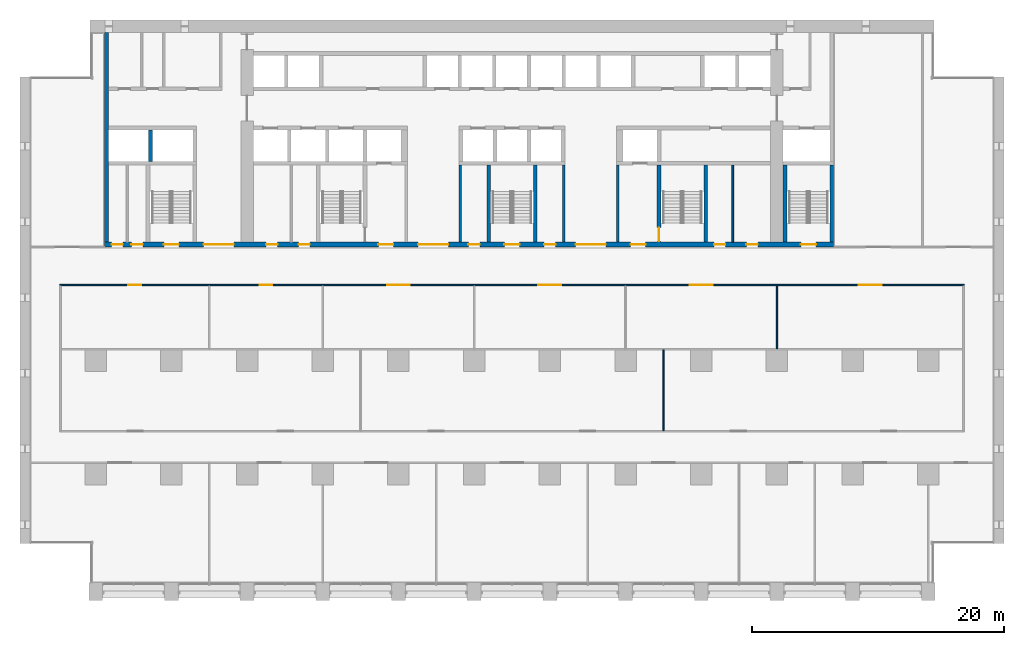
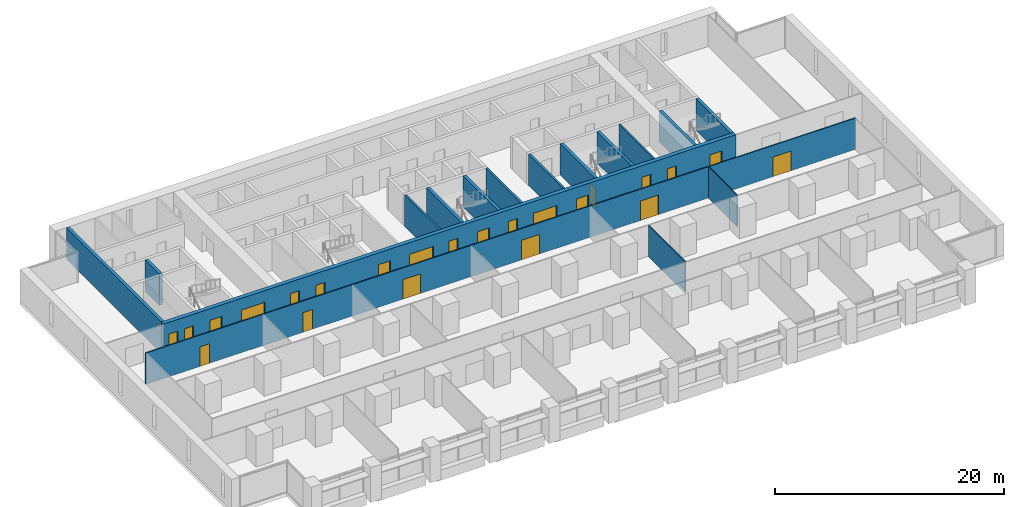
# One storey, part 10 of 18: 23 doors, 16 walls, 23 openings.
"""IFC4 building model written with IfcOpenShell, lengths in metres."""

from ifc_helpers import new_model, si_unit, direction, frame, frame_2d, origin, place, context, subcontext, project, spatial, rectangle, extrude, material, layer, layer_set, type_object, element, fill, save


model = new_model("IFC4")

# Units and contexts
model_context = context("Model", 3, precision=1e-05, world=origin(), true_north=direction((0.0, 1.0)))
body_context = subcontext(model_context, "Body", "Model", "MODEL_VIEW")
ifc_project = project(units=[si_unit("LENGTHUNIT", "METRE"), si_unit("AREAUNIT", "SQUARE_METRE"), si_unit("VOLUMEUNIT", "CUBIC_METRE"), si_unit("PLANEANGLEUNIT", "RADIAN"), si_unit("MASSUNIT", "GRAM", prefix="KILO")], contexts=[model_context])

# Site, building, storey
site_placement = place(None, origin())
site = spatial("IfcSite", under=ifc_project, at=site_placement, CompositionType="ELEMENT")
building_placement = place(site_placement, origin())
building = spatial("IfcBuilding", under=site, at=building_placement, Name="Calvaro Tower", CompositionType="ELEMENT")
storey_placement = place(building_placement, frame((0.0, 0.0, 48.75)))
storey = spatial("IfcBuildingStorey", under=building, at=storey_placement, Name="L11", CompositionType="ELEMENT", Elevation=48.75)

# Walls
ifc_material_1 = material(Name="Blockwork partition", Category="masonry")
ifc_layer_1 = layer(ifc_material_1, 0.14990234375)
ifc_layer_set_1 = layer_set([ifc_layer_1], Name="Blockwork partition")
wall_type_1 = type_object("IfcWallType", Name="Core partition 150 EI 60", PredefinedType="PARTITIONING", material=ifc_layer_set_1)
wall_1_placement = place(storey_placement, frame((56.5, 28.39990234375, 0.0), z_axis=(0.0, 0.0, 1.0), x_axis=(0.0, 1.0, 0.0)))
element("IfcWall", 1, at=wall_1_placement, inside=storey, type_object=wall_type_1, Name="Core partition", PredefinedType="PARTITIONING", context=body_context, shape_type="SweptSolid", body=[
    extrude(rectangle(XDim=6.10009765625, YDim=0.14990234375, at=frame_2d((3.050048828125, 0.0))), origin(), (0.0, 0.0, 1.0), 3.35009765625),
])
ifc_material_2 = material(Name="Blockwork partition", Category="masonry")
ifc_layer_2 = layer(ifc_material_2, 0.199951171875)
ifc_layer_set_2 = layer_set([ifc_layer_2], Name="Blockwork partition")
wall_type_2 = type_object("IfcWallType", Name="Core partition 200 REI 120", PredefinedType="PARTITIONING", material=ifc_layer_set_2)
for number, where, z_axis, x_axis, name in (
    (2, (34.89990234375, 28.39990234375, 0.0), (0.0, 0.0, 1.0), (0.0, 1.0, 0.0), "Core partition"),
    (3, (43.10009765625, 28.39990234375, 0.0), (0.0, 0.0, 1.0), (0.0, 1.0, 0.0), "Core partition"),
    (4, (47.39990234375, 28.39990234375, 0.0), (0.0, 0.0, 1.0), (0.0, 1.0, 0.0), "Core partition"),
):
    element("IfcWall", number, at=place(storey_placement, frame(where, z_axis=z_axis, x_axis=x_axis)), inside=storey, type_object=wall_type_2, Name=name, PredefinedType="PARTITIONING", context=body_context, shape_type="SweptSolid", body=[
        extrude(rectangle(XDim=6.10009765625, YDim=0.199951171875, at=frame_2d((3.050048828125, 0.0))), origin(), (0.0, 0.0, 1.0), 3.35009765625),
    ])
ifc_material_3 = material(Name="Concrete C80/95", Category="concrete")
ifc_layer_3 = layer(ifc_material_3, 0.300048828125)
ifc_layer_set_3 = layer_set([ifc_layer_3], Name="Concrete C80/95")
wall_type_3 = type_object("IfcWallType", Name="Core wall C80/95 300", PredefinedType="SHEAR", material=ifc_layer_set_3)
wall_2_placement = place(storey_placement, frame((6.85009765625, 28.39990234375, 0.0), z_axis=(0.0, 0.0, 1.0), x_axis=(0.0, 1.0, 0.0)))
element("IfcWall", 5, at=wall_2_placement, inside=storey, type_object=wall_type_3, Name="Core wall, boundary", PredefinedType="SHEAR", context=body_context, shape_type="SweptSolid", body=[
    extrude(rectangle(XDim=16.60009765625, YDim=0.300048828125, at=frame_2d((8.300048828125, 0.0))), origin(), (0.0, 0.0, 1.0), 3.35009765625),
])
for number, where, z_axis, x_axis, name in (
    (6, (37.14990234375, 28.39990234375, 0.0), (0.0, 0.0, 1.0), (0.0, 1.0, 0.0), "Core wall, stair enclosure"),
    (7, (40.85009765625, 28.39990234375, 0.0), (0.0, 0.0, 1.0), (0.0, 1.0, 0.0), "Core wall, stair enclosure"),
):
    element("IfcWall", number, at=place(storey_placement, frame(where, z_axis=z_axis, x_axis=x_axis)), inside=storey, type_object=wall_type_3, Name=name, PredefinedType="SHEAR", context=body_context, shape_type="SweptSolid", body=[
        extrude(rectangle(XDim=6.10009765625, YDim=0.300048828125, at=frame_2d((3.050048828125, 0.0))), origin(), (0.0, 0.0, 1.0), 3.35009765625),
    ])

# Wall, opening, door
wall_3_placement = place(storey_placement, frame((50.64990234375, 34.5, 0.0), z_axis=(0.0, 0.0, 1.0), x_axis=(0.0, -1.0, 0.0)))
wall_3 = element("IfcWall", 8, at=wall_3_placement, inside=storey, type_object=wall_type_3, Name="Core wall, stair enclosure", PredefinedType="SHEAR", context=body_context, shape_type="SweptSolid", body=[
    extrude(rectangle(XDim=6.10009765625, YDim=0.300048828125, at=frame_2d((3.050048828125, 0.0))), origin(), (0.0, 0.0, 1.0), 3.35009765625),
])
opening_1_placement = place(wall_3_placement, frame((4.949951171875, 0.0, 0.0)))
opening_1 = element("IfcOpeningElement", 9, at=opening_1_placement, cuts=wall_3, Name="Opening FD11D", PredefinedType="OPENING", context=body_context, shape_type="SweptSolid", body=[
    extrude(rectangle(XDim=1.10009765625, YDim=2.10009765625, at=frame_2d((0.550048828125, 1.050048828125))), frame((0.0, 0.159912109375, 0.0), z_axis=(0.0, -1.0, 0.0), x_axis=(1.0, 0.0, 0.0)), (0.0, 0.0, 1.0), 0.320068359375),
])
ifc_material_4 = material(Name="Steel door set", Category="steel")
door_type_1 = type_object("IfcDoorType", Name="Fire door 1100 FD30S", OperationType="SINGLE_SWING_LEFT", PredefinedType="DOOR", material=ifc_material_4)
door_1_placement = place(opening_1_placement, origin())
door_1 = element("IfcDoor", 10, at=door_1_placement, inside=storey, type_object=door_type_1, Name="Fire door", OperationType="SINGLE_SWING_RIGHT", OverallHeight=2.10009765625, OverallWidth=1.10009765625, PredefinedType="DOOR", context=body_context, shape_type="SweptSolid", body=[
    extrude(rectangle(XDim=1.10009765625, YDim=2.10009765625, at=frame_2d((0.550048828125, 1.050048828125))), frame((0.0, 0.02490234375, 0.0), z_axis=(0.0, -1.0, 0.0), x_axis=(1.0, 0.0, 0.0)), (0.0, 0.0, 1.0), 0.050048828125),
])
fill(opening_1, door_1)

# Walls
for number, where, z_axis, x_axis, name in (
    (11, (54.35009765625, 28.39990234375, 0.0), (0.0, 0.0, 1.0), (0.0, 1.0, 0.0), "Core wall, stair enclosure"),
    (12, (60.64990234375, 28.39990234375, 0.0), (0.0, 0.0, 1.0), (0.0, 1.0, 0.0), "Core wall, stair enclosure"),
    (13, (64.35009765625, 28.39990234375, 0.0), (0.0, 0.0, 1.0), (0.0, 1.0, 0.0), "Core wall, stair enclosure"),
):
    element("IfcWall", number, at=place(storey_placement, frame(where, z_axis=z_axis, x_axis=x_axis)), inside=storey, type_object=wall_type_3, Name=name, PredefinedType="SHEAR", context=body_context, shape_type="SweptSolid", body=[
        extrude(rectangle(XDim=6.10009765625, YDim=0.300048828125, at=frame_2d((3.050048828125, 0.0))), origin(), (0.0, 0.0, 1.0), 3.35009765625),
    ])
wall_4_placement = place(storey_placement, frame((10.35009765625, 34.800048828125, 0.0), z_axis=(0.0, 0.0, 1.0), x_axis=(0.0, 1.0, 0.0)))
element("IfcWall", 14, at=wall_4_placement, inside=storey, type_object=wall_type_3, Name="Core wall, lift shaft", PredefinedType="SHEAR", context=body_context, shape_type="SweptSolid", body=[
    extrude(rectangle(XDim=2.5, YDim=0.300048828125, at=frame_2d((1.25, 0.0))), origin(), (0.0, 0.0, 1.0), 3.35009765625),
])

# Wall, openings, doors
ifc_material_5 = material(Name="Concrete C80/95", Category="concrete")
ifc_layer_4 = layer(ifc_material_5, 0.39990234375)
ifc_layer_set_4 = layer_set([ifc_layer_4], Name="Concrete C80/95")
wall_type_4 = type_object("IfcWallType", Name="Core wall C80/95 400", PredefinedType="SHEAR", material=ifc_layer_set_4)
wall_5_placement = place(storey_placement, frame((6.699951171875, 28.199951171875, 0.0), z_axis=(0.0, 0.0, 1.0), x_axis=(1.0, 0.0, 0.0)))
wall_5 = element("IfcWall", 15, at=wall_5_placement, inside=storey, type_object=wall_type_4, Name="Core wall, front", PredefinedType="SHEAR", context=body_context, shape_type="SweptSolid", body=[
    extrude(rectangle(XDim=57.800048828125, YDim=0.39990234375, at=frame_2d((28.89990234375, 0.0))), origin(), (0.0, 0.0, 1.0), 3.35009765625),
])
opening_2_placement = place(wall_5_placement, frame((12.8125, 0.0, 0.0)))
opening_2 = element("IfcOpeningElement", 16, at=opening_2_placement, cuts=wall_5, Name="Opening RD9E", PredefinedType="OPENING", context=body_context, shape_type="SweptSolid", body=[
    extrude(rectangle(XDim=0.89990234375, YDim=2.10009765625, at=frame_2d((0.449951171875, 1.050048828125))), frame((0.0, 0.2099609375, 0.0), z_axis=(0.0, -1.0, 0.0), x_axis=(1.0, 0.0, 0.0)), (0.0, 0.0, 1.0), 0.419921875),
])
opening_3_placement = place(wall_5_placement, frame((15.387451171875, 0.0, 0.0)))
opening_3 = element("IfcOpeningElement", 17, at=opening_3_placement, cuts=wall_5, Name="Opening RD9E", PredefinedType="OPENING", context=body_context, shape_type="SweptSolid", body=[
    extrude(rectangle(XDim=0.89990234375, YDim=2.10009765625, at=frame_2d((0.449951171875, 1.050048828125))), frame((0.0, 0.2099609375, 0.0), z_axis=(0.0, -1.0, 0.0), x_axis=(1.0, 0.0, 0.0)), (0.0, 0.0, 1.0), 0.419921875),
])
opening_4_placement = place(wall_5_placement, frame((48.3125, 0.0, 0.0)))
opening_4 = element("IfcOpeningElement", 18, at=opening_4_placement, cuts=wall_5, Name="Opening RD9E", PredefinedType="OPENING", context=body_context, shape_type="SweptSolid", body=[
    extrude(rectangle(XDim=0.89990234375, YDim=2.10009765625, at=frame_2d((0.449951171875, 1.050048828125))), frame((0.0, 0.2099609375, 0.0), z_axis=(0.0, -1.0, 0.0), x_axis=(1.0, 0.0, 0.0)), (0.0, 0.0, 1.0), 0.419921875),
])
opening_5_placement = place(wall_5_placement, frame((50.887451171875, 0.0, 0.0)))
opening_5 = element("IfcOpeningElement", 19, at=opening_5_placement, cuts=wall_5, Name="Opening RD9E", PredefinedType="OPENING", context=body_context, shape_type="SweptSolid", body=[
    extrude(rectangle(XDim=0.89990234375, YDim=2.10009765625, at=frame_2d((0.449951171875, 1.050048828125))), frame((0.0, 0.2099609375, 0.0), z_axis=(0.0, -1.0, 0.0), x_axis=(1.0, 0.0, 0.0)), (0.0, 0.0, 1.0), 0.419921875),
])
opening_6_placement = place(wall_5_placement, frame((0.5625, 0.0, 0.0)))
opening_6 = element("IfcOpeningElement", 20, at=opening_6_placement, cuts=wall_5, Name="Opening RD9E", PredefinedType="OPENING", context=body_context, shape_type="SweptSolid", body=[
    extrude(rectangle(XDim=0.89990234375, YDim=2.10009765625, at=frame_2d((0.449951171875, 1.050048828125))), frame((0.0, 0.2099609375, 0.0), z_axis=(0.0, -1.0, 0.0), x_axis=(1.0, 0.0, 0.0)), (0.0, 0.0, 1.0), 0.419921875),
])
opening_7_placement = place(wall_5_placement, frame((2.137451171875, 0.0, 0.0)))
opening_7 = element("IfcOpeningElement", 21, at=opening_7_placement, cuts=wall_5, Name="Opening RD9C", PredefinedType="OPENING", context=body_context, shape_type="SweptSolid", body=[
    extrude(rectangle(XDim=0.89990234375, YDim=2.10009765625, at=frame_2d((0.449951171875, 1.050048828125))), frame((0.0, 0.2099609375, 0.0), z_axis=(0.0, -1.0, 0.0), x_axis=(1.0, 0.0, 0.0)), (0.0, 0.0, 1.0), 0.419921875),
])
opening_8_placement = place(wall_5_placement, frame((4.699951171875, 0.0, 0.0)))
opening_8 = element("IfcOpeningElement", 22, at=opening_8_placement, cuts=wall_5, Name="Opening SD12D", PredefinedType="OPENING", context=body_context, shape_type="SweptSolid", body=[
    extrude(rectangle(XDim=1.199951171875, YDim=2.10009765625, at=frame_2d((0.60009765625, 1.050048828125))), frame((0.0, 0.2099609375, 0.0), z_axis=(0.0, -1.0, 0.0), x_axis=(1.0, 0.0, 0.0)), (0.0, 0.0, 1.0), 0.419921875),
])
opening_9_placement = place(wall_5_placement, frame((31.699951171875, 0.0, 0.0)))
opening_9 = element("IfcOpeningElement", 23, at=opening_9_placement, cuts=wall_5, Name="Opening SD12D", PredefinedType="OPENING", context=body_context, shape_type="SweptSolid", body=[
    extrude(rectangle(XDim=1.199951171875, YDim=2.10009765625, at=frame_2d((0.60009765625, 1.050048828125))), frame((0.0, 0.2099609375, 0.0), z_axis=(0.0, -1.0, 0.0), x_axis=(1.0, 0.0, 0.0)), (0.0, 0.0, 1.0), 0.419921875),
])
opening_10_placement = place(wall_5_placement, frame((55.199951171875, 0.0, 0.0)))
opening_10 = element("IfcOpeningElement", 24, at=opening_10_placement, cuts=wall_5, Name="Opening SD12D", PredefinedType="OPENING", context=body_context, shape_type="SweptSolid", body=[
    extrude(rectangle(XDim=1.199951171875, YDim=2.10009765625, at=frame_2d((0.60009765625, 1.050048828125))), frame((0.0, 0.2099609375, 0.0), z_axis=(0.0, -1.0, 0.0), x_axis=(1.0, 0.0, 0.0)), (0.0, 0.0, 1.0), 0.419921875),
])
opening_11_placement = place(wall_5_placement, frame((21.699951171875, 0.0, 0.0)))
opening_11 = element("IfcOpeningElement", 25, at=opening_11_placement, cuts=wall_5, Name="Opening FD12F", PredefinedType="OPENING", context=body_context, shape_type="SweptSolid", body=[
    extrude(rectangle(XDim=1.199951171875, YDim=2.10009765625, at=frame_2d((0.60009765625, 1.050048828125))), frame((0.0, 0.2099609375, 0.0), z_axis=(0.0, -1.0, 0.0), x_axis=(1.0, 0.0, 0.0)), (0.0, 0.0, 1.0), 0.419921875),
])
opening_12_placement = place(wall_5_placement, frame((41.699951171875, 0.0, 0.0)))
opening_12 = element("IfcOpeningElement", 26, at=opening_12_placement, cuts=wall_5, Name="Opening FD12F", PredefinedType="OPENING", context=body_context, shape_type="SweptSolid", body=[
    extrude(rectangle(XDim=1.199951171875, YDim=2.10009765625, at=frame_2d((0.60009765625, 1.050048828125))), frame((0.0, 0.2099609375, 0.0), z_axis=(0.0, -1.0, 0.0), x_axis=(1.0, 0.0, 0.0)), (0.0, 0.0, 1.0), 0.419921875),
])
opening_13_placement = place(wall_5_placement, frame((24.85009765625, 0.0, 0.0)))
opening_13 = element("IfcOpeningElement", 27, at=opening_13_placement, cuts=wall_5, Name="Opening DD24D", PredefinedType="OPENING", context=body_context, shape_type="SweptSolid", body=[
    extrude(rectangle(XDim=2.39990234375, YDim=2.10009765625, at=frame_2d((1.199951171875, 1.050048828125))), frame((0.0, 0.2099609375, 0.0), z_axis=(0.0, -1.0, 0.0), x_axis=(1.0, 0.0, 0.0)), (0.0, 0.0, 1.0), 0.419921875),
])
opening_14_placement = place(wall_5_placement, frame((37.35009765625, 0.0, 0.0)))
opening_14 = element("IfcOpeningElement", 28, at=opening_14_placement, cuts=wall_5, Name="Opening DD24D", PredefinedType="OPENING", context=body_context, shape_type="SweptSolid", body=[
    extrude(rectangle(XDim=2.39990234375, YDim=2.10009765625, at=frame_2d((1.199951171875, 1.050048828125))), frame((0.0, 0.2099609375, 0.0), z_axis=(0.0, -1.0, 0.0), x_axis=(1.0, 0.0, 0.0)), (0.0, 0.0, 1.0), 0.419921875),
])
opening_15_placement = place(wall_5_placement, frame((7.85009765625, 0.0, 0.0)))
opening_15 = element("IfcOpeningElement", 29, at=opening_15_placement, cuts=wall_5, Name="Opening DD24D", PredefinedType="OPENING", context=body_context, shape_type="SweptSolid", body=[
    extrude(rectangle(XDim=2.39990234375, YDim=2.10009765625, at=frame_2d((1.199951171875, 1.050048828125))), frame((0.0, 0.2099609375, 0.0), z_axis=(0.0, -1.0, 0.0), x_axis=(1.0, 0.0, 0.0)), (0.0, 0.0, 1.0), 0.419921875),
])
opening_16_placement = place(wall_5_placement, frame((28.85009765625, 0.0, 0.0)))
opening_16 = element("IfcOpeningElement", 30, at=opening_16_placement, cuts=wall_5, Name="Opening RD9E", PredefinedType="OPENING", context=body_context, shape_type="SweptSolid", body=[
    extrude(rectangle(XDim=0.89990234375, YDim=2.10009765625, at=frame_2d((0.449951171875, 1.050048828125))), frame((0.0, 0.2099609375, 0.0), z_axis=(0.0, -1.0, 0.0), x_axis=(1.0, 0.0, 0.0)), (0.0, 0.0, 1.0), 0.419921875),
])
opening_17_placement = place(wall_5_placement, frame((34.85009765625, 0.0, 0.0)))
opening_17 = element("IfcOpeningElement", 31, at=opening_17_placement, cuts=wall_5, Name="Opening RD9E", PredefinedType="OPENING", context=body_context, shape_type="SweptSolid", body=[
    extrude(rectangle(XDim=0.89990234375, YDim=2.10009765625, at=frame_2d((0.449951171875, 1.050048828125))), frame((0.0, 0.2099609375, 0.0), z_axis=(0.0, -1.0, 0.0), x_axis=(1.0, 0.0, 0.0)), (0.0, 0.0, 1.0), 0.419921875),
])
ifc_material_6 = material(Name="Steel door set", Category="steel")
door_type_2 = type_object("IfcDoorType", Name="Fire door 1200 FD60S", OperationType="SINGLE_SWING_LEFT", PredefinedType="DOOR", material=ifc_material_6)
door_2_placement = place(opening_11_placement, origin())
door_2 = element("IfcDoor", 32, at=door_2_placement, inside=storey, type_object=door_type_2, Name="Fire door", OperationType="SINGLE_SWING_LEFT", OverallHeight=2.10009765625, OverallWidth=1.199951171875, PredefinedType="DOOR", context=body_context, shape_type="SweptSolid", body=[
    extrude(rectangle(XDim=1.199951171875, YDim=2.10009765625, at=frame_2d((0.60009765625, 1.050048828125))), frame((0.0, 0.02490234375, 0.0), z_axis=(0.0, -1.0, 0.0), x_axis=(1.0, 0.0, 0.0)), (0.0, 0.0, 1.0), 0.050048828125),
])
fill(opening_11, door_2)
door_3_placement = place(opening_12_placement, origin())
door_3 = element("IfcDoor", 33, at=door_3_placement, inside=storey, type_object=door_type_2, Name="Fire door", OperationType="SINGLE_SWING_LEFT", OverallHeight=2.10009765625, OverallWidth=1.199951171875, PredefinedType="DOOR", context=body_context, shape_type="SweptSolid", body=[
    extrude(rectangle(XDim=1.199951171875, YDim=2.10009765625, at=frame_2d((0.60009765625, 1.050048828125))), frame((0.0, 0.02490234375, 0.0), z_axis=(0.0, -1.0, 0.0), x_axis=(1.0, 0.0, 0.0)), (0.0, 0.0, 1.0), 0.050048828125),
])
fill(opening_12, door_3)
ifc_material_7 = material(Name="Steel door set", Category="steel")
door_type_3 = type_object("IfcDoorType", Name="Lobby double door 2400 FD30S", OperationType="DOUBLE_DOOR_SINGLE_SWING", PredefinedType="DOOR", material=ifc_material_7)
door_4_placement = place(opening_13_placement, origin())
door_4 = element("IfcDoor", 34, at=door_4_placement, inside=storey, type_object=door_type_3, Name="Lobby double door", OperationType="DOUBLE_DOOR_SINGLE_SWING", OverallHeight=2.10009765625, OverallWidth=2.39990234375, PredefinedType="DOOR", context=body_context, shape_type="SweptSolid", body=[
    extrude(rectangle(XDim=2.39990234375, YDim=2.10009765625, at=frame_2d((1.199951171875, 1.050048828125))), frame((0.0, 0.02490234375, 0.0), z_axis=(0.0, -1.0, 0.0), x_axis=(1.0, 0.0, 0.0)), (0.0, 0.0, 1.0), 0.050048828125),
])
fill(opening_13, door_4)
door_5_placement = place(opening_14_placement, origin())
door_5 = element("IfcDoor", 35, at=door_5_placement, inside=storey, type_object=door_type_3, Name="Lobby double door", OperationType="DOUBLE_DOOR_SINGLE_SWING", OverallHeight=2.10009765625, OverallWidth=2.39990234375, PredefinedType="DOOR", context=body_context, shape_type="SweptSolid", body=[
    extrude(rectangle(XDim=2.39990234375, YDim=2.10009765625, at=frame_2d((1.199951171875, 1.050048828125))), frame((0.0, 0.02490234375, 0.0), z_axis=(0.0, -1.0, 0.0), x_axis=(1.0, 0.0, 0.0)), (0.0, 0.0, 1.0), 0.050048828125),
])
fill(opening_14, door_5)
door_6_placement = place(opening_15_placement, origin())
door_6 = element("IfcDoor", 36, at=door_6_placement, inside=storey, type_object=door_type_3, Name="Lobby double door", OperationType="DOUBLE_DOOR_SINGLE_SWING", OverallHeight=2.10009765625, OverallWidth=2.39990234375, PredefinedType="DOOR", context=body_context, shape_type="SweptSolid", body=[
    extrude(rectangle(XDim=2.39990234375, YDim=2.10009765625, at=frame_2d((1.199951171875, 1.050048828125))), frame((0.0, 0.02490234375, 0.0), z_axis=(0.0, -1.0, 0.0), x_axis=(1.0, 0.0, 0.0)), (0.0, 0.0, 1.0), 0.050048828125),
])
fill(opening_15, door_6)
ifc_material_8 = material(Name="Steel door set", Category="steel")
door_type_4 = type_object("IfcDoorType", Name="Room door 900 FD30", OperationType="SINGLE_SWING_LEFT", PredefinedType="DOOR", material=ifc_material_8)
door_7_placement = place(opening_7_placement, origin())
door_7 = element("IfcDoor", 37, at=door_7_placement, inside=storey, type_object=door_type_4, Name="Room door", OperationType="SINGLE_SWING_LEFT", OverallHeight=2.10009765625, OverallWidth=0.89990234375, PredefinedType="DOOR", context=body_context, shape_type="SweptSolid", body=[
    extrude(rectangle(XDim=0.89990234375, YDim=2.10009765625, at=frame_2d((0.449951171875, 1.050048828125))), frame((0.0, 0.02490234375, 0.0), z_axis=(0.0, -1.0, 0.0), x_axis=(1.0, 0.0, 0.0)), (0.0, 0.0, 1.0), 0.050048828125),
])
fill(opening_7, door_7)
ifc_material_9 = material(Name="Steel door set", Category="steel")
door_type_5 = type_object("IfcDoorType", Name="Room door 900 FD60", OperationType="SINGLE_SWING_LEFT", PredefinedType="DOOR", material=ifc_material_9)
door_8_placement = place(opening_2_placement, origin())
door_8 = element("IfcDoor", 38, at=door_8_placement, inside=storey, type_object=door_type_5, Name="Room door", OperationType="SINGLE_SWING_LEFT", OverallHeight=2.10009765625, OverallWidth=0.89990234375, PredefinedType="DOOR", context=body_context, shape_type="SweptSolid", body=[
    extrude(rectangle(XDim=0.89990234375, YDim=2.10009765625, at=frame_2d((0.449951171875, 1.050048828125))), frame((0.0, 0.02490234375, 0.0), z_axis=(0.0, -1.0, 0.0), x_axis=(1.0, 0.0, 0.0)), (0.0, 0.0, 1.0), 0.050048828125),
])
fill(opening_2, door_8)
door_9_placement = place(opening_3_placement, origin())
door_9 = element("IfcDoor", 39, at=door_9_placement, inside=storey, type_object=door_type_5, Name="Room door", OperationType="SINGLE_SWING_RIGHT", OverallHeight=2.10009765625, OverallWidth=0.89990234375, PredefinedType="DOOR", context=body_context, shape_type="SweptSolid", body=[
    extrude(rectangle(XDim=0.89990234375, YDim=2.10009765625, at=frame_2d((0.449951171875, 1.050048828125))), frame((0.0, 0.02490234375, 0.0), z_axis=(0.0, -1.0, 0.0), x_axis=(1.0, 0.0, 0.0)), (0.0, 0.0, 1.0), 0.050048828125),
])
fill(opening_3, door_9)
door_10_placement = place(opening_4_placement, origin())
door_10 = element("IfcDoor", 40, at=door_10_placement, inside=storey, type_object=door_type_5, Name="Room door", OperationType="SINGLE_SWING_LEFT", OverallHeight=2.10009765625, OverallWidth=0.89990234375, PredefinedType="DOOR", context=body_context, shape_type="SweptSolid", body=[
    extrude(rectangle(XDim=0.89990234375, YDim=2.10009765625, at=frame_2d((0.449951171875, 1.050048828125))), frame((0.0, 0.02490234375, 0.0), z_axis=(0.0, -1.0, 0.0), x_axis=(1.0, 0.0, 0.0)), (0.0, 0.0, 1.0), 0.050048828125),
])
fill(opening_4, door_10)
door_11_placement = place(opening_5_placement, origin())
door_11 = element("IfcDoor", 41, at=door_11_placement, inside=storey, type_object=door_type_5, Name="Room door", OperationType="SINGLE_SWING_LEFT", OverallHeight=2.10009765625, OverallWidth=0.89990234375, PredefinedType="DOOR", context=body_context, shape_type="SweptSolid", body=[
    extrude(rectangle(XDim=0.89990234375, YDim=2.10009765625, at=frame_2d((0.449951171875, 1.050048828125))), frame((0.0, 0.02490234375, 0.0), z_axis=(0.0, -1.0, 0.0), x_axis=(1.0, 0.0, 0.0)), (0.0, 0.0, 1.0), 0.050048828125),
])
fill(opening_5, door_11)
door_12_placement = place(opening_6_placement, origin())
door_12 = element("IfcDoor", 42, at=door_12_placement, inside=storey, type_object=door_type_5, Name="Room door", OperationType="SINGLE_SWING_LEFT", OverallHeight=2.10009765625, OverallWidth=0.89990234375, PredefinedType="DOOR", context=body_context, shape_type="SweptSolid", body=[
    extrude(rectangle(XDim=0.89990234375, YDim=2.10009765625, at=frame_2d((0.449951171875, 1.050048828125))), frame((0.0, 0.02490234375, 0.0), z_axis=(0.0, -1.0, 0.0), x_axis=(1.0, 0.0, 0.0)), (0.0, 0.0, 1.0), 0.050048828125),
])
fill(opening_6, door_12)
door_13_placement = place(opening_16_placement, origin())
door_13 = element("IfcDoor", 43, at=door_13_placement, inside=storey, type_object=door_type_5, Name="Room door", OperationType="SINGLE_SWING_LEFT", OverallHeight=2.10009765625, OverallWidth=0.89990234375, PredefinedType="DOOR", context=body_context, shape_type="SweptSolid", body=[
    extrude(rectangle(XDim=0.89990234375, YDim=2.10009765625, at=frame_2d((0.449951171875, 1.050048828125))), frame((0.0, 0.02490234375, 0.0), z_axis=(0.0, -1.0, 0.0), x_axis=(1.0, 0.0, 0.0)), (0.0, 0.0, 1.0), 0.050048828125),
])
fill(opening_16, door_13)
door_14_placement = place(opening_17_placement, origin())
door_14 = element("IfcDoor", 44, at=door_14_placement, inside=storey, type_object=door_type_5, Name="Room door", OperationType="SINGLE_SWING_LEFT", OverallHeight=2.10009765625, OverallWidth=0.89990234375, PredefinedType="DOOR", context=body_context, shape_type="SweptSolid", body=[
    extrude(rectangle(XDim=0.89990234375, YDim=2.10009765625, at=frame_2d((0.449951171875, 1.050048828125))), frame((0.0, 0.02490234375, 0.0), z_axis=(0.0, -1.0, 0.0), x_axis=(1.0, 0.0, 0.0)), (0.0, 0.0, 1.0), 0.050048828125),
])
fill(opening_17, door_14)
ifc_material_10 = material(Name="Steel door set", Category="steel")
door_type_6 = type_object("IfcDoorType", Name="Stair door 1200 FD30S", OperationType="SINGLE_SWING_LEFT", PredefinedType="DOOR", material=ifc_material_10)
door_15_placement = place(opening_8_placement, origin())
door_15 = element("IfcDoor", 45, at=door_15_placement, inside=storey, type_object=door_type_6, Name="Stair door", OperationType="SINGLE_SWING_LEFT", OverallHeight=2.10009765625, OverallWidth=1.199951171875, PredefinedType="DOOR", context=body_context, shape_type="SweptSolid", body=[
    extrude(rectangle(XDim=1.199951171875, YDim=2.10009765625, at=frame_2d((0.60009765625, 1.050048828125))), frame((0.0, 0.02490234375, 0.0), z_axis=(0.0, -1.0, 0.0), x_axis=(1.0, 0.0, 0.0)), (0.0, 0.0, 1.0), 0.050048828125),
])
fill(opening_8, door_15)
door_16_placement = place(opening_9_placement, origin())
door_16 = element("IfcDoor", 46, at=door_16_placement, inside=storey, type_object=door_type_6, Name="Stair door", OperationType="SINGLE_SWING_LEFT", OverallHeight=2.10009765625, OverallWidth=1.199951171875, PredefinedType="DOOR", context=body_context, shape_type="SweptSolid", body=[
    extrude(rectangle(XDim=1.199951171875, YDim=2.10009765625, at=frame_2d((0.60009765625, 1.050048828125))), frame((0.0, 0.02490234375, 0.0), z_axis=(0.0, -1.0, 0.0), x_axis=(1.0, 0.0, 0.0)), (0.0, 0.0, 1.0), 0.050048828125),
])
fill(opening_9, door_16)
door_17_placement = place(opening_10_placement, origin())
door_17 = element("IfcDoor", 47, at=door_17_placement, inside=storey, type_object=door_type_6, Name="Stair door", OperationType="SINGLE_SWING_LEFT", OverallHeight=2.10009765625, OverallWidth=1.199951171875, PredefinedType="DOOR", context=body_context, shape_type="SweptSolid", body=[
    extrude(rectangle(XDim=1.199951171875, YDim=2.10009765625, at=frame_2d((0.60009765625, 1.050048828125))), frame((0.0, 0.02490234375, 0.0), z_axis=(0.0, -1.0, 0.0), x_axis=(1.0, 0.0, 0.0)), (0.0, 0.0, 1.0), 0.050048828125),
])
fill(opening_10, door_17)

# Walls
ifc_material_11 = material(Name="Plasterboard on steel studs", Category="steel")
ifc_layer_5 = layer(ifc_material_11, 0.10009765625)
ifc_layer_set_5 = layer_set([ifc_layer_5], Name="Plasterboard on steel studs")
wall_type_5 = type_object("IfcWallType", Name="Partition 100", PredefinedType="PARTITIONING", material=ifc_layer_set_5)
wall_6_placement = place(storey_placement, frame((51.0, 13.449951171875, 0.0), z_axis=(0.0, 0.0, 1.0), x_axis=(0.0, 1.0, 0.0)))
element("IfcWall", 48, at=wall_6_placement, inside=storey, type_object=wall_type_5, Name="Partition T10.W017", PredefinedType="PARTITIONING", context=body_context, shape_type="SweptSolid", body=[
    extrude(rectangle(XDim=6.400146484375, YDim=0.10009765625, at=frame_2d((3.2001953125, 0.0))), origin(), (0.0, 0.0, 1.0), 3.35009765625),
])
wall_7_placement = place(storey_placement, frame((60.0, 19.949951171875, 0.0), z_axis=(0.0, 0.0, 1.0), x_axis=(0.0, 1.0, 0.0)))
element("IfcWall", 49, at=wall_7_placement, inside=storey, type_object=wall_type_5, Name="Partition T10.W019", PredefinedType="PARTITIONING", context=body_context, shape_type="SweptSolid", body=[
    extrude(rectangle(XDim=5.0, YDim=0.10009765625, at=frame_2d((2.5, 0.0))), origin(), (0.0, 0.0, 1.0), 3.35009765625),
])

# Wall, openings, doors
ifc_material_12 = material(Name="Plasterboard on steel studs", Category="steel")
ifc_layer_6 = layer(ifc_material_12, 0.10009765625)
ifc_layer_set_6 = layer_set([ifc_layer_6], Name="Plasterboard on steel studs")
wall_type_6 = type_object("IfcWallType", Name="Partition 100 REI 120", PredefinedType="PARTITIONING", material=ifc_layer_set_6)
wall_8_placement = place(storey_placement, frame((3.14990234375, 25.0, 0.0), z_axis=(0.0, 0.0, 1.0), x_axis=(1.0, 0.0, 0.0)))
wall_8 = element("IfcWall", 50, at=wall_8_placement, inside=storey, type_object=wall_type_6, Name="Partition T10.W004", PredefinedType="PARTITIONING", context=body_context, shape_type="SweptSolid", body=[
    extrude(rectangle(XDim=71.7001953125, YDim=0.10009765625, at=frame_2d((35.85009765625, 0.0))), origin(), (0.0, 0.0, 1.0), 3.35009765625),
])
opening_18_placement = place(wall_8_placement, frame((5.449951171875, 0.0, 0.0)))
opening_18 = element("IfcOpeningElement", 51, at=opening_18_placement, cuts=wall_8, Name="Opening T10.015", PredefinedType="OPENING", context=body_context, shape_type="SweptSolid", body=[
    extrude(rectangle(XDim=1.0, YDim=2.10009765625, at=frame_2d((0.5, 1.050048828125))), frame((0.0, 0.06005859375, 0.0), z_axis=(0.0, -1.0, 0.0), x_axis=(1.0, 0.0, 0.0)), (0.0, 0.0, 1.0), 0.1201171875),
])
opening_19_placement = place(wall_8_placement, frame((15.85009765625, 0.0, 0.0)))
opening_19 = element("IfcOpeningElement", 52, at=opening_19_placement, cuts=wall_8, Name="Opening T10.016", PredefinedType="OPENING", context=body_context, shape_type="SweptSolid", body=[
    extrude(rectangle(XDim=1.0, YDim=2.10009765625, at=frame_2d((0.5, 1.050048828125))), frame((0.0, 0.06005859375, 0.0), z_axis=(0.0, -1.0, 0.0), x_axis=(1.0, 0.0, 0.0)), (0.0, 0.0, 1.0), 0.1201171875),
])
opening_20_placement = place(wall_8_placement, frame((63.35009765625, 0.0, 0.0)))
opening_20 = element("IfcOpeningElement", 53, at=opening_20_placement, cuts=wall_8, Name="Opening T10.017", PredefinedType="OPENING", context=body_context, shape_type="SweptSolid", body=[
    extrude(rectangle(XDim=1.800048828125, YDim=2.10009765625, at=frame_2d((0.89990234375, 1.050048828125))), frame((0.0, 0.06005859375, 0.0), z_axis=(0.0, -1.0, 0.0), x_axis=(1.0, 0.0, 0.0)), (0.0, 0.0, 1.0), 0.1201171875),
])
opening_21_placement = place(wall_8_placement, frame((25.949951171875, 0.0, 0.0)))
opening_21 = element("IfcOpeningElement", 54, at=opening_21_placement, cuts=wall_8, Name="Opening T10.018", PredefinedType="OPENING", context=body_context, shape_type="SweptSolid", body=[
    extrude(rectangle(XDim=1.800048828125, YDim=2.10009765625, at=frame_2d((0.89990234375, 1.050048828125))), frame((0.0, 0.06005859375, 0.0), z_axis=(0.0, -1.0, 0.0), x_axis=(1.0, 0.0, 0.0)), (0.0, 0.0, 1.0), 0.1201171875),
])
opening_22_placement = place(wall_8_placement, frame((37.949951171875, 0.0, 0.0)))
opening_22 = element("IfcOpeningElement", 55, at=opening_22_placement, cuts=wall_8, Name="Opening T10.019", PredefinedType="OPENING", context=body_context, shape_type="SweptSolid", body=[
    extrude(rectangle(XDim=1.800048828125, YDim=2.10009765625, at=frame_2d((0.89990234375, 1.050048828125))), frame((0.0, 0.06005859375, 0.0), z_axis=(0.0, -1.0, 0.0), x_axis=(1.0, 0.0, 0.0)), (0.0, 0.0, 1.0), 0.1201171875),
])
opening_23_placement = place(wall_8_placement, frame((49.949951171875, 0.0, 0.0)))
opening_23 = element("IfcOpeningElement", 56, at=opening_23_placement, cuts=wall_8, Name="Opening T10.020", PredefinedType="OPENING", context=body_context, shape_type="SweptSolid", body=[
    extrude(rectangle(XDim=1.800048828125, YDim=2.10009765625, at=frame_2d((0.89990234375, 1.050048828125))), frame((0.0, 0.06005859375, 0.0), z_axis=(0.0, -1.0, 0.0), x_axis=(1.0, 0.0, 0.0)), (0.0, 0.0, 1.0), 0.1201171875),
])
ifc_material_13 = material(Name="Timber", Category="wood")
door_type_7 = type_object("IfcDoorType", Name="Internal double door 1800 x 2100", OperationType="DOUBLE_DOOR_SINGLE_SWING", PredefinedType="DOOR", material=ifc_material_13)
door_18_placement = place(opening_20_placement, origin())
door_18 = element("IfcDoor", 57, at=door_18_placement, inside=storey, type_object=door_type_7, Name="Door T10.017", OperationType="DOUBLE_DOOR_SINGLE_SWING", OverallHeight=2.10009765625, OverallWidth=1.800048828125, PredefinedType="DOOR", context=body_context, shape_type="SweptSolid", body=[
    extrude(rectangle(XDim=1.800048828125, YDim=2.10009765625, at=frame_2d((0.89990234375, 1.050048828125))), frame((0.0, 0.02490234375, 0.0), z_axis=(0.0, -1.0, 0.0), x_axis=(1.0, 0.0, 0.0)), (0.0, 0.0, 1.0), 0.050048828125),
])
fill(opening_20, door_18)
door_19_placement = place(opening_21_placement, origin())
door_19 = element("IfcDoor", 58, at=door_19_placement, inside=storey, type_object=door_type_7, Name="Door T10.018", OperationType="DOUBLE_DOOR_SINGLE_SWING", OverallHeight=2.10009765625, OverallWidth=1.800048828125, PredefinedType="DOOR", context=body_context, shape_type="SweptSolid", body=[
    extrude(rectangle(XDim=1.800048828125, YDim=2.10009765625, at=frame_2d((0.89990234375, 1.050048828125))), frame((0.0, 0.02490234375, 0.0), z_axis=(0.0, -1.0, 0.0), x_axis=(1.0, 0.0, 0.0)), (0.0, 0.0, 1.0), 0.050048828125),
])
fill(opening_21, door_19)
door_20_placement = place(opening_22_placement, origin())
door_20 = element("IfcDoor", 59, at=door_20_placement, inside=storey, type_object=door_type_7, Name="Door T10.019", OperationType="DOUBLE_DOOR_SINGLE_SWING", OverallHeight=2.10009765625, OverallWidth=1.800048828125, PredefinedType="DOOR", context=body_context, shape_type="SweptSolid", body=[
    extrude(rectangle(XDim=1.800048828125, YDim=2.10009765625, at=frame_2d((0.89990234375, 1.050048828125))), frame((0.0, 0.02490234375, 0.0), z_axis=(0.0, -1.0, 0.0), x_axis=(1.0, 0.0, 0.0)), (0.0, 0.0, 1.0), 0.050048828125),
])
fill(opening_22, door_20)
door_21_placement = place(opening_23_placement, origin())
door_21 = element("IfcDoor", 60, at=door_21_placement, inside=storey, type_object=door_type_7, Name="Door T10.020", OperationType="DOUBLE_DOOR_SINGLE_SWING", OverallHeight=2.10009765625, OverallWidth=1.800048828125, PredefinedType="DOOR", context=body_context, shape_type="SweptSolid", body=[
    extrude(rectangle(XDim=1.800048828125, YDim=2.10009765625, at=frame_2d((0.89990234375, 1.050048828125))), frame((0.0, 0.02490234375, 0.0), z_axis=(0.0, -1.0, 0.0), x_axis=(1.0, 0.0, 0.0)), (0.0, 0.0, 1.0), 0.050048828125),
])
fill(opening_23, door_21)
ifc_material_14 = material(Name="Timber", Category="wood")
door_type_8 = type_object("IfcDoorType", Name="Internal single door 1000 x 2100", OperationType="SINGLE_SWING_LEFT", PredefinedType="DOOR", material=ifc_material_14)
door_22_placement = place(opening_19_placement, origin())
door_22 = element("IfcDoor", 61, at=door_22_placement, inside=storey, type_object=door_type_8, Name="Door T10.016", OperationType="SINGLE_SWING_LEFT", OverallHeight=2.10009765625, OverallWidth=1.0, PredefinedType="DOOR", context=body_context, shape_type="SweptSolid", body=[
    extrude(rectangle(XDim=1.0, YDim=2.10009765625, at=frame_2d((0.5, 1.050048828125))), frame((0.0, 0.02490234375, 0.0), z_axis=(0.0, -1.0, 0.0), x_axis=(1.0, 0.0, 0.0)), (0.0, 0.0, 1.0), 0.050048828125),
])
fill(opening_19, door_22)
ifc_material_15 = material(Name="Timber", Category="wood")
door_type_9 = type_object("IfcDoorType", Name="Internal single door 1000 x 2100 FD60", OperationType="SINGLE_SWING_LEFT", PredefinedType="DOOR", material=ifc_material_15)
door_23_placement = place(opening_18_placement, origin())
door_23 = element("IfcDoor", 62, at=door_23_placement, inside=storey, type_object=door_type_9, Name="Door T10.015", OperationType="SINGLE_SWING_LEFT", OverallHeight=2.10009765625, OverallWidth=1.0, PredefinedType="DOOR", context=body_context, shape_type="SweptSolid", body=[
    extrude(rectangle(XDim=1.0, YDim=2.10009765625, at=frame_2d((0.5, 1.050048828125))), frame((0.0, 0.02490234375, 0.0), z_axis=(0.0, -1.0, 0.0), x_axis=(1.0, 0.0, 0.0)), (0.0, 0.0, 1.0), 0.050048828125),
])
fill(opening_18, door_23)

save(model, "model.ifc")
